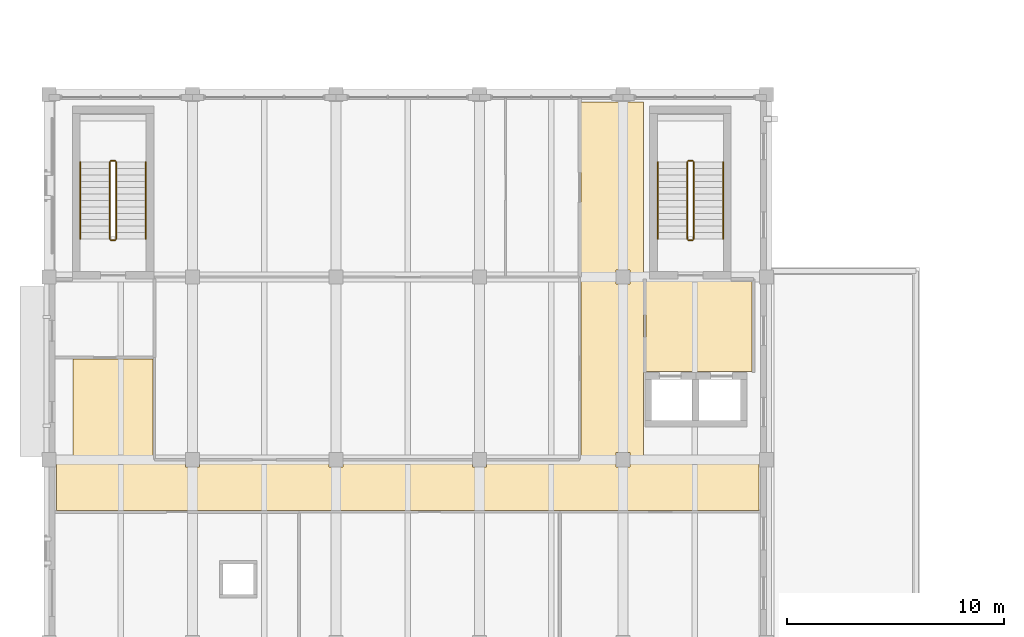
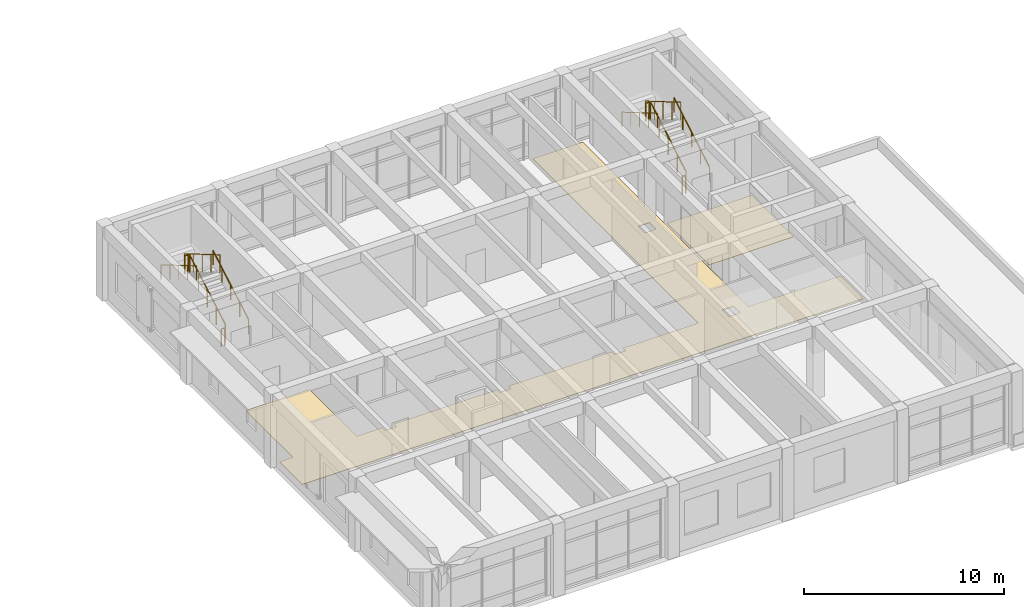
# One storey, part 42 of 50: 12 railings, 2 coverings.
"""IFC4 building model written with IfcOpenShell, lengths in metres."""

from ifc_helpers import new_model, si_unit, direction, frame, origin, origin_2d, place, context, subcontext, project, spatial, polyline, circle, outline, extrude, material, layer, layer_set, type_object, element, save


model = new_model("IFC4")

# Units and contexts
model_context = context("Model", 3, precision=1e-05, world=origin(), true_north=direction((0.0, 1.0)))
body_context = subcontext(model_context, "Body", "Model", "MODEL_VIEW")
ifc_project = project(units=[si_unit("LENGTHUNIT", "METRE"), si_unit("AREAUNIT", "SQUARE_METRE"), si_unit("VOLUMEUNIT", "CUBIC_METRE"), si_unit("PLANEANGLEUNIT", "RADIAN"), si_unit("MASSUNIT", "GRAM", prefix="KILO")], contexts=[model_context])

# Site, building, storey
site_placement = place(None, origin())
site = spatial("IfcSite", under=ifc_project, at=site_placement, CompositionType="ELEMENT")
building_placement = place(site_placement, origin())
building = spatial("IfcBuilding", under=site, at=building_placement, Name="Kolvaren Faculty of Natural Sciences", CompositionType="ELEMENT")
storey_placement = place(building_placement, frame((0.0, 0.0, 15.0)))
storey = spatial("IfcBuildingStorey", under=building, at=storey_placement, Name="L03", CompositionType="ELEMENT", Elevation=15.0)

# Railings
ifc_material_1 = material(Name="Structural steel EN 10210-1 S355J2H", Category="steel")
ifc_layer_1 = layer(ifc_material_1, 0.048095703125)
ifc_layer_set_1 = layer_set([ifc_layer_1], Name="Structural steel EN 10210-1 S355J2H")
railing_type_1 = type_object("IfcRailingType", Name="StairPitchHandrail_920", PredefinedType="HANDRAIL", material=ifc_layer_set_1)
railing_1_placement = place(storey_placement, frame((37.800048828125, 35.550048828125, 0.173095703125)))
element("IfcRailing", 1, at=railing_1_placement, inside=storey, type_object=railing_type_1, Name="L03 ST-4 stair handrail 1", PredefinedType="HANDRAIL", context=body_context, shape_type="SweptSolid", body=[
    extrude(circle(Radius=0.02392578125, at=origin_2d()), frame((0.0, 0.0, 0.8759765625), z_axis=(0.0, 0.862516251723, 0.506029362304), x_axis=(-1.0, 0.0, 0.0)), (0.0, 0.0, 1.0), 4.104248046875),
    extrude(circle(Radius=0.02099609375, at=origin_2d()), origin(), (0.0, 0.0, 1.0), 0.851806640625),
    extrude(circle(Radius=0.02099609375, at=origin_2d()), frame((0.0, 0.885009765625, 0.519287109375)), (0.0, 0.0, 1.0), 0.851806640625),
    extrude(circle(Radius=0.02099609375, at=origin_2d()), frame((0.0, 1.77001953125, 1.03857421875)), (0.0, 0.0, 1.0), 0.851806640625),
    extrude(circle(Radius=0.02099609375, at=origin_2d()), frame((0.0, 2.655029296875, 1.5576171875)), (0.0, 0.0, 1.0), 0.851806640625),
    extrude(circle(Radius=0.02099609375, at=origin_2d()), frame((0.0, 3.5400390625, 2.076904296875)), (0.0, 0.0, 1.0), 0.851806640625),
])
railing_2_placement = place(storey_placement, frame((34.800048828125, 39.090087890625, 2.423095703125)))
element("IfcRailing", 2, at=railing_2_placement, inside=storey, type_object=railing_type_1, Name="L03 ST-4 stair handrail 2", PredefinedType="HANDRAIL", context=body_context, shape_type="SweptSolid", body=[
    extrude(circle(Radius=0.02392578125, at=origin_2d()), frame((0.0, 0.0, 0.8759765625), z_axis=(0.0, -0.862516251723, 0.506029362304), x_axis=(1.0, 0.0, 0.0)), (0.0, 0.0, 1.0), 4.104248046875),
    extrude(circle(Radius=0.02099609375, at=origin_2d()), origin(), (0.0, 0.0, 1.0), 0.851806640625),
    extrude(circle(Radius=0.02099609375, at=origin_2d()), frame((0.0, -0.885009765625, 0.519287109375)), (0.0, 0.0, 1.0), 0.851806640625),
    extrude(circle(Radius=0.02099609375, at=origin_2d()), frame((0.0, -1.77001953125, 1.03857421875)), (0.0, 0.0, 1.0), 0.851806640625),
    extrude(circle(Radius=0.02099609375, at=origin_2d()), frame((0.0, -2.655029296875, 1.5576171875)), (0.0, 0.0, 1.0), 0.851806640625),
    extrude(circle(Radius=0.02099609375, at=origin_2d()), frame((0.0, -3.5400390625, 2.076904296875)), (0.0, 0.0, 1.0), 0.851806640625),
])
railing_3_placement = place(storey_placement, frame((11.25, 35.550048828125, 0.173095703125)))
element("IfcRailing", 3, at=railing_3_placement, inside=storey, type_object=railing_type_1, Name="L03 ST-8 stair handrail 1", PredefinedType="HANDRAIL", context=body_context, shape_type="SweptSolid", body=[
    extrude(circle(Radius=0.02392578125, at=origin_2d()), frame((0.0, 0.0, 0.8759765625), z_axis=(0.0, 0.862516251723, 0.506029362304), x_axis=(-1.0, 0.0, 0.0)), (0.0, 0.0, 1.0), 4.104248046875),
    extrude(circle(Radius=0.02099609375, at=origin_2d()), origin(), (0.0, 0.0, 1.0), 0.851806640625),
    extrude(circle(Radius=0.02099609375, at=origin_2d()), frame((0.0, 0.885009765625, 0.519287109375)), (0.0, 0.0, 1.0), 0.851806640625),
    extrude(circle(Radius=0.02099609375, at=origin_2d()), frame((0.0, 1.77001953125, 1.03857421875)), (0.0, 0.0, 1.0), 0.851806640625),
    extrude(circle(Radius=0.02099609375, at=origin_2d()), frame((0.0, 2.655029296875, 1.5576171875)), (0.0, 0.0, 1.0), 0.851806640625),
    extrude(circle(Radius=0.02099609375, at=origin_2d()), frame((0.0, 3.5400390625, 2.076904296875)), (0.0, 0.0, 1.0), 0.851806640625),
])
railing_4_placement = place(storey_placement, frame((8.25, 39.090087890625, 2.423095703125)))
element("IfcRailing", 4, at=railing_4_placement, inside=storey, type_object=railing_type_1, Name="L03 ST-8 stair handrail 2", PredefinedType="HANDRAIL", context=body_context, shape_type="SweptSolid", body=[
    extrude(circle(Radius=0.02392578125, at=origin_2d()), frame((0.0, 0.0, 0.8759765625), z_axis=(0.0, -0.862516251723, 0.506029362304), x_axis=(1.0, 0.0, 0.0)), (0.0, 0.0, 1.0), 4.104248046875),
    extrude(circle(Radius=0.02099609375, at=origin_2d()), origin(), (0.0, 0.0, 1.0), 0.851806640625),
    extrude(circle(Radius=0.02099609375, at=origin_2d()), frame((0.0, -0.885009765625, 0.519287109375)), (0.0, 0.0, 1.0), 0.851806640625),
    extrude(circle(Radius=0.02099609375, at=origin_2d()), frame((0.0, -1.77001953125, 1.03857421875)), (0.0, 0.0, 1.0), 0.851806640625),
    extrude(circle(Radius=0.02099609375, at=origin_2d()), frame((0.0, -2.655029296875, 1.5576171875)), (0.0, 0.0, 1.0), 0.851806640625),
    extrude(circle(Radius=0.02099609375, at=origin_2d()), frame((0.0, -3.5400390625, 2.076904296875)), (0.0, 0.0, 1.0), 0.851806640625),
])
ifc_layer_2 = layer(ifc_material_1, 0.048095703125)
ifc_layer_set_2 = layer_set([ifc_layer_2], Name="Structural steel EN 10210-1 S355J2H")
railing_type_2 = type_object("IfcRailingType", Name="StairWellGuard_1100", PredefinedType="BALUSTRADE", material=ifc_layer_set_2)
railing_5_placement = place(storey_placement, frame((36.449951171875, 35.550048828125, 0.173095703125)))
element("IfcRailing", 5, at=railing_5_placement, inside=storey, type_object=railing_type_2, Name="L03 ST-4 stair guard 1", PredefinedType="BALUSTRADE", context=body_context, shape_type="SweptSolid", body=[
    extrude(circle(Radius=0.02392578125, at=origin_2d()), frame((0.0, 0.0, 1.076171875), z_axis=(0.0, 0.862516251723, 0.506029362304), x_axis=(-1.0, 0.0, 0.0)), (0.0, 0.0, 1.0), 4.104248046875),
    extrude(circle(Radius=0.02099609375, at=origin_2d()), origin(), (0.0, 0.0, 1.0), 1.052001953125),
    extrude(circle(Radius=0.02099609375, at=origin_2d()), frame((0.0, 0.885009765625, 0.519287109375)), (0.0, 0.0, 1.0), 1.052001953125),
    extrude(circle(Radius=0.02099609375, at=origin_2d()), frame((0.0, 1.77001953125, 1.03857421875)), (0.0, 0.0, 1.0), 1.052001953125),
    extrude(circle(Radius=0.02099609375, at=origin_2d()), frame((0.0, 2.655029296875, 1.5576171875)), (0.0, 0.0, 1.0), 1.052001953125),
    extrude(circle(Radius=0.02099609375, at=origin_2d()), frame((0.0, 3.5400390625, 2.076904296875)), (0.0, 0.0, 1.0), 1.052001953125),
])
railing_6_placement = place(storey_placement, frame((36.39990234375, 39.139892578125, 2.25)))
element("IfcRailing", 6, at=railing_6_placement, inside=storey, type_object=railing_type_2, Name="L03 ST-4 stair guard 2", PredefinedType="BALUSTRADE", context=body_context, shape_type="SweptSolid", body=[
    extrude(circle(Radius=0.02392578125, at=origin_2d()), frame((0.0, 0.0, 1.076171875), z_axis=(-1.0, 0.0, 0.0), x_axis=(0.0, -1.0, 0.0)), (0.0, 0.0, 1.0), 0.199951171875),
    extrude(circle(Radius=0.02099609375, at=origin_2d()), origin(), (0.0, 0.0, 1.0), 1.052001953125),
    extrude(circle(Radius=0.02099609375, at=origin_2d()), frame((-0.199951171875, 0.0, 0.0)), (0.0, 0.0, 1.0), 1.052001953125),
])
railing_7_placement = place(storey_placement, frame((36.14990234375, 39.090087890625, 2.423095703125)))
element("IfcRailing", 7, at=railing_7_placement, inside=storey, type_object=railing_type_2, Name="L03 ST-4 stair guard 3", PredefinedType="BALUSTRADE", context=body_context, shape_type="SweptSolid", body=[
    extrude(circle(Radius=0.02392578125, at=origin_2d()), frame((0.0, 0.0, 1.076171875), z_axis=(0.0, -0.862516251723, 0.506029362304), x_axis=(1.0, 0.0, 0.0)), (0.0, 0.0, 1.0), 4.104248046875),
    extrude(circle(Radius=0.02099609375, at=origin_2d()), origin(), (0.0, 0.0, 1.0), 1.052001953125),
    extrude(circle(Radius=0.02099609375, at=origin_2d()), frame((0.0, -0.885009765625, 0.519287109375)), (0.0, 0.0, 1.0), 1.052001953125),
    extrude(circle(Radius=0.02099609375, at=origin_2d()), frame((0.0, -1.77001953125, 1.03857421875)), (0.0, 0.0, 1.0), 1.052001953125),
    extrude(circle(Radius=0.02099609375, at=origin_2d()), frame((0.0, -2.655029296875, 1.5576171875)), (0.0, 0.0, 1.0), 1.052001953125),
    extrude(circle(Radius=0.02099609375, at=origin_2d()), frame((0.0, -3.5400390625, 2.076904296875)), (0.0, 0.0, 1.0), 1.052001953125),
])
railing_8_placement = place(storey_placement, frame((36.39990234375, 35.5, 0.0)))
element("IfcRailing", 8, at=railing_8_placement, inside=storey, type_object=railing_type_2, Name="L03 ST-4 stair guard 4", PredefinedType="BALUSTRADE", context=body_context, shape_type="SweptSolid", body=[
    extrude(circle(Radius=0.02392578125, at=origin_2d()), frame((0.0, 0.0, 1.076171875), z_axis=(-1.0, 0.0, 0.0), x_axis=(0.0, -1.0, 0.0)), (0.0, 0.0, 1.0), 0.199951171875),
    extrude(circle(Radius=0.02099609375, at=origin_2d()), origin(), (0.0, 0.0, 1.0), 1.052001953125),
    extrude(circle(Radius=0.02099609375, at=origin_2d()), frame((-0.199951171875, 0.0, 0.0)), (0.0, 0.0, 1.0), 1.052001953125),
])
railing_9_placement = place(storey_placement, frame((9.89990234375, 35.550048828125, 0.173095703125)))
element("IfcRailing", 9, at=railing_9_placement, inside=storey, type_object=railing_type_2, Name="L03 ST-8 stair guard 1", PredefinedType="BALUSTRADE", context=body_context, shape_type="SweptSolid", body=[
    extrude(circle(Radius=0.02392578125, at=origin_2d()), frame((0.0, 0.0, 1.076171875), z_axis=(0.0, 0.862516251723, 0.506029362304), x_axis=(-1.0, 0.0, 0.0)), (0.0, 0.0, 1.0), 4.104248046875),
    extrude(circle(Radius=0.02099609375, at=origin_2d()), origin(), (0.0, 0.0, 1.0), 1.052001953125),
    extrude(circle(Radius=0.02099609375, at=origin_2d()), frame((0.0, 0.885009765625, 0.519287109375)), (0.0, 0.0, 1.0), 1.052001953125),
    extrude(circle(Radius=0.02099609375, at=origin_2d()), frame((0.0, 1.77001953125, 1.03857421875)), (0.0, 0.0, 1.0), 1.052001953125),
    extrude(circle(Radius=0.02099609375, at=origin_2d()), frame((0.0, 2.655029296875, 1.5576171875)), (0.0, 0.0, 1.0), 1.052001953125),
    extrude(circle(Radius=0.02099609375, at=origin_2d()), frame((0.0, 3.5400390625, 2.076904296875)), (0.0, 0.0, 1.0), 1.052001953125),
])
railing_10_placement = place(storey_placement, frame((9.85009765625, 39.139892578125, 2.25)))
element("IfcRailing", 10, at=railing_10_placement, inside=storey, type_object=railing_type_2, Name="L03 ST-8 stair guard 2", PredefinedType="BALUSTRADE", context=body_context, shape_type="SweptSolid", body=[
    extrude(circle(Radius=0.02392578125, at=origin_2d()), frame((0.0, 0.0, 1.076171875), z_axis=(-1.0, 0.0, 0.0), x_axis=(0.0, -1.0, 0.0)), (0.0, 0.0, 1.0), 0.2001953125),
    extrude(circle(Radius=0.02099609375, at=origin_2d()), origin(), (0.0, 0.0, 1.0), 1.052001953125),
    extrude(circle(Radius=0.02099609375, at=origin_2d()), frame((-0.2001953125, 0.0, 0.0)), (0.0, 0.0, 1.0), 1.052001953125),
])
railing_11_placement = place(storey_placement, frame((9.60009765625, 39.090087890625, 2.423095703125)))
element("IfcRailing", 11, at=railing_11_placement, inside=storey, type_object=railing_type_2, Name="L03 ST-8 stair guard 3", PredefinedType="BALUSTRADE", context=body_context, shape_type="SweptSolid", body=[
    extrude(circle(Radius=0.02392578125, at=origin_2d()), frame((0.0, 0.0, 1.076171875), z_axis=(0.0, -0.862516251723, 0.506029362304), x_axis=(1.0, 0.0, 0.0)), (0.0, 0.0, 1.0), 4.104248046875),
    extrude(circle(Radius=0.02099609375, at=origin_2d()), origin(), (0.0, 0.0, 1.0), 1.052001953125),
    extrude(circle(Radius=0.02099609375, at=origin_2d()), frame((0.0, -0.885009765625, 0.519287109375)), (0.0, 0.0, 1.0), 1.052001953125),
    extrude(circle(Radius=0.02099609375, at=origin_2d()), frame((0.0, -1.77001953125, 1.03857421875)), (0.0, 0.0, 1.0), 1.052001953125),
    extrude(circle(Radius=0.02099609375, at=origin_2d()), frame((0.0, -2.655029296875, 1.5576171875)), (0.0, 0.0, 1.0), 1.052001953125),
    extrude(circle(Radius=0.02099609375, at=origin_2d()), frame((0.0, -3.5400390625, 2.076904296875)), (0.0, 0.0, 1.0), 1.052001953125),
])
railing_12_placement = place(storey_placement, frame((9.85009765625, 35.5, 0.0)))
element("IfcRailing", 12, at=railing_12_placement, inside=storey, type_object=railing_type_2, Name="L03 ST-8 stair guard 4", PredefinedType="BALUSTRADE", context=body_context, shape_type="SweptSolid", body=[
    extrude(circle(Radius=0.02392578125, at=origin_2d()), frame((0.0, 0.0, 1.076171875), z_axis=(-1.0, 0.0, 0.0), x_axis=(0.0, -1.0, 0.0)), (0.0, 0.0, 1.0), 0.2001953125),
    extrude(circle(Radius=0.02099609375, at=origin_2d()), origin(), (0.0, 0.0, 1.0), 1.052001953125),
    extrude(circle(Radius=0.02099609375, at=origin_2d()), frame((-0.2001953125, 0.0, 0.0)), (0.0, 0.0, 1.0), 1.052001953125),
])

# Coverings
ifc_material_2 = material(Name="Polished Uruguayan grey granite terrazzo flooring", Category="masonry")
ifc_layer_3 = layer(ifc_material_2, 0.030029296875)
ifc_layer_set_3 = layer_set([ifc_layer_3], Name="Polished Uruguayan grey granite terrazzo flooring")
covering_type = type_object("IfcCoveringType", Name="TerrazzoFloorFinish_30", PredefinedType="FLOORING", material=ifc_layer_set_3)
covering_1_placement = place(storey_placement, origin())
element("IfcCovering", 13, at=covering_1_placement, inside=storey, type_object=covering_type, Name="L03 L03 Protected Stair Lobby ST-4 floor finish", PredefinedType="FLOORING", context=body_context, shape_type="SweptSolid", body=[
    extrude(outline(polyline([(39.139892578125, 33.639892578125), (39.139892578125, 29.4599609375), (34.260009765625, 29.4599609375), (34.260009765625, 33.639892578125), (39.139892578125, 33.639892578125)])), origin(), (0.0, 0.0, 1.0), 0.030029296875),
])
covering_2_placement = place(storey_placement, origin())
element("IfcCovering", 14, at=covering_2_placement, inside=storey, type_object=covering_type, Name="L03 L03 Academic Concourse and Corridor floor finish", PredefinedType="FLOORING", context=body_context, shape_type="SweptSolid", body=[
    extrude(outline(polyline([(11.590087890625, 30.0400390625), (11.590087890625, 25.39990234375), (11.59033203125, 25.39404296875), (11.59130859375, 25.38818359375), (11.592529296875, 25.382568359375), (11.594482421875, 25.376953125), (11.59716796875, 25.37158203125), (11.60009765625, 25.36669921875), (11.603515625, 25.36181640625), (11.607666015625, 25.357666015625), (11.61181640625, 25.353515625), (11.61669921875, 25.35009765625), (11.62158203125, 25.34716796875), (11.626953125, 25.344482421875), (11.632568359375, 25.342529296875), (11.63818359375, 25.34130859375), (11.64404296875, 25.34033203125), (11.64990234375, 25.340087890625), (13.074951171875, 25.340087890625), (13.074951171875, 25.074951171875), (13.72509765625, 25.074951171875), (13.72509765625, 25.340087890625), (19.675048828125, 25.340087890625), (19.675048828125, 25.074951171875), (20.324951171875, 25.074951171875), (20.324951171875, 25.340087890625), (26.27490234375, 25.340087890625), (26.27490234375, 25.074951171875), (26.925048828125, 25.074951171875), (26.925048828125, 25.340087890625), (31.199951171875, 25.340087890625), (31.205810546875, 25.34033203125), (31.211669921875, 25.34130859375), (31.21728515625, 25.342529296875), (31.222900390625, 25.344482421875), (31.228271484375, 25.34716796875), (31.2333984375, 25.35009765625), (31.238037109375, 25.353515625), (31.242431640625, 25.357666015625), (31.246337890625, 25.36181640625), (31.25, 25.36669921875), (31.2529296875, 25.37158203125), (31.25537109375, 25.376953125), (31.25732421875, 25.382568359375), (31.2587890625, 25.38818359375), (31.259765625, 25.39404296875), (31.260009765625, 25.39990234375), (31.260009765625, 41.860107421875), (34.139892578125, 41.860107421875), (34.139892578125, 25.39990234375), (34.140380859375, 25.39404296875), (34.14111328125, 25.38818359375), (34.142578125, 25.382568359375), (34.14453125, 25.376953125), (34.147216796875, 25.37158203125), (34.150146484375, 25.36669921875), (34.153564453125, 25.36181640625), (34.15771484375, 25.357666015625), (34.161865234375, 25.353515625), (34.166748046875, 25.35009765625), (34.171630859375, 25.34716796875), (34.177001953125, 25.344482421875), (34.1826171875, 25.342529296875), (34.188232421875, 25.34130859375), (34.194091796875, 25.34033203125), (34.199951171875, 25.340087890625), (39.4599609375, 25.340087890625), (39.4599609375, 23.06005859375), (7.139892578125, 23.06005859375), (7.139892578125, 25.340087890625), (7.85009765625, 25.340087890625), (7.85595703125, 25.34033203125), (7.86181640625, 25.34130859375), (7.867431640625, 25.342529296875), (7.873046875, 25.344482421875), (7.87841796875, 25.34716796875), (7.88330078125, 25.35009765625), (7.88818359375, 25.353515625), (7.892333984375, 25.357666015625), (7.896484375, 25.36181640625), (7.89990234375, 25.36669921875), (7.90283203125, 25.37158203125), (7.905517578125, 25.376953125), (7.907470703125, 25.382568359375), (7.90869140625, 25.38818359375), (7.90966796875, 25.39404296875), (7.909912109375, 25.39990234375), (7.909912109375, 30.0400390625), (11.590087890625, 30.0400390625)]), holes=[polyline([(32.875, 25.72509765625), (32.875, 25.074951171875), (33.52490234375, 25.074951171875), (33.52490234375, 25.72509765625), (32.875, 25.72509765625)]), polyline([(32.875, 33.47509765625), (33.52490234375, 33.47509765625), (33.52490234375, 34.125), (32.875, 34.125), (32.875, 33.47509765625)])]), origin(), (0.0, 0.0, 1.0), 0.030029296875),
])

save(model, "model.ifc")
